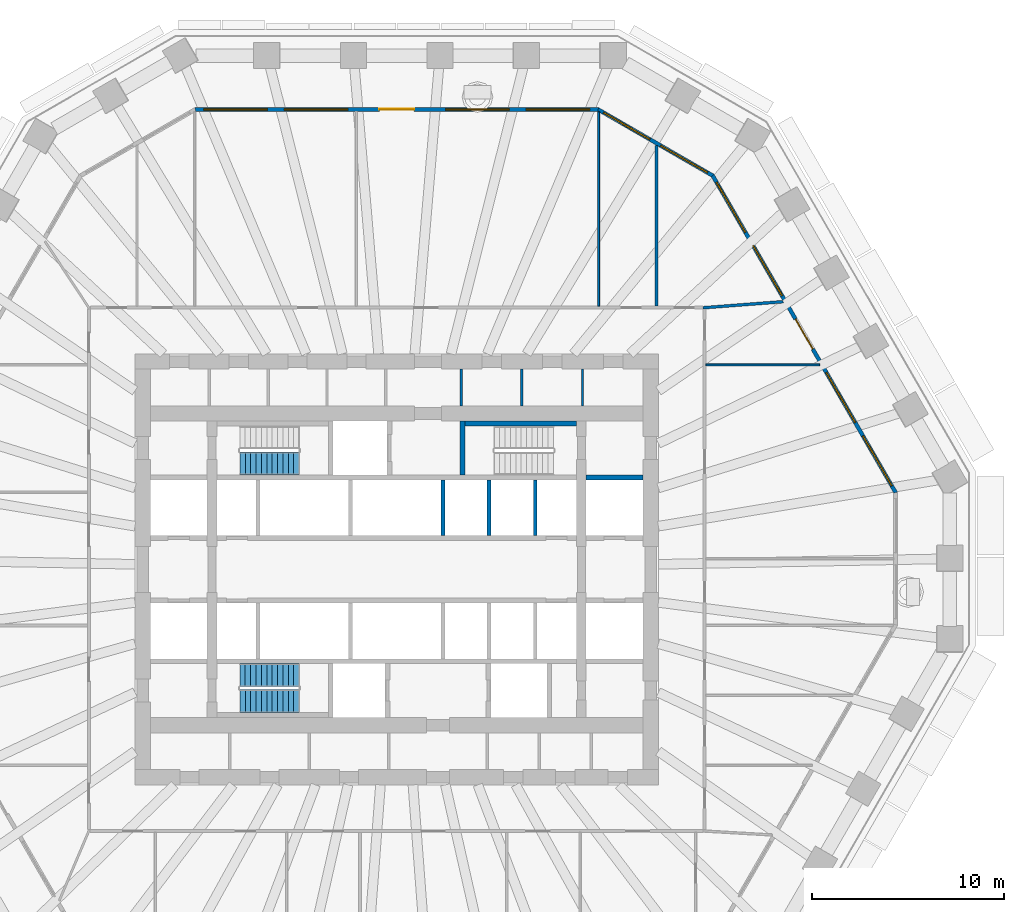
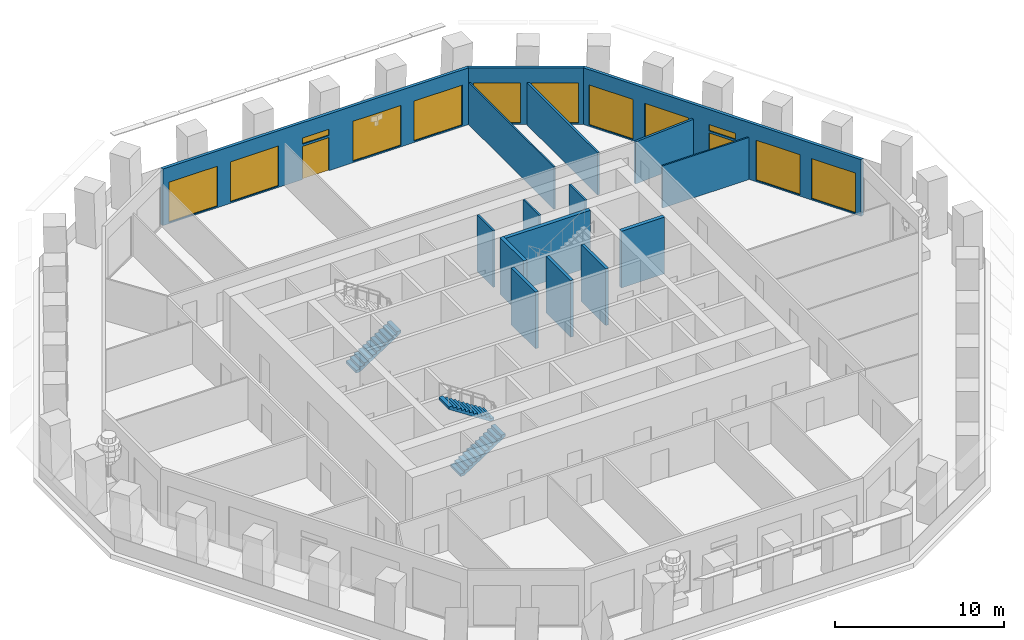
# One storey, part 8 of 13: 16 walls, 12 windows, 3 stair flights, 2 doors, 14 openings, 2 elements without a shape of their own.
"""IFC4 building model written with IfcOpenShell, lengths in metres."""

from ifc_helpers import new_model, si_unit, direction, frame, frame_2d, origin, place, context, subcontext, project, spatial, polyline, rectangle, outline, extrude, material, layer, layer_set, type_object, element, fill, aggregate, save


model = new_model("IFC4")

# Units and contexts
model_context = context("Model", 3, precision=1e-05, world=origin(), true_north=direction((0.0, 1.0)))
body_context = subcontext(model_context, "Body", "Model", "MODEL_VIEW")
ifc_project = project(units=[si_unit("LENGTHUNIT", "METRE"), si_unit("AREAUNIT", "SQUARE_METRE"), si_unit("VOLUMEUNIT", "CUBIC_METRE"), si_unit("PLANEANGLEUNIT", "RADIAN"), si_unit("MASSUNIT", "GRAM", prefix="KILO")], contexts=[model_context])

# Site, building, storey
site_placement = place(None, origin())
site = spatial("IfcSite", under=ifc_project, at=site_placement, CompositionType="ELEMENT")
building_placement = place(site_placement, origin())
building = spatial("IfcBuilding", under=site, at=building_placement, Name="Frailejon Research Tower", CompositionType="ELEMENT")
storey_placement = place(building_placement, frame((0.0, 0.0, 98.39990234375)))
storey = spatial("IfcBuildingStorey", under=building, at=storey_placement, Name="L21", CompositionType="ELEMENT", Elevation=98.39990234375)

# Walls
ifc_material_1 = material(Name="Plasterboard on steel studs", Category="steel")
ifc_layer_1 = layer(ifc_material_1, 0.125)
ifc_layer_set_1 = layer_set([ifc_layer_1], Name="Core partition 125")
wall_type_1 = type_object("IfcWallType", Name="Core partition 125", PredefinedType="PARTITIONING", material=ifc_layer_set_1)
for number, where, z_axis, x_axis, name in (
    (1, (3.362548828125, 8.5, 0.0), (0.0, 0.0, 1.0), (0.0, 1.0, 0.0), "Core partition"),
    (2, (6.50830078125, 8.5, 0.0), (0.0, 0.0, 1.0), (0.0, 1.0, 0.0), "Core partition"),
    (3, (9.654296875, 8.5, 0.0), (0.0, 0.0, 1.0), (0.0, 1.0, 0.0), "Core partition"),
):
    element("IfcWall", number, at=place(storey_placement, frame(where, z_axis=z_axis, x_axis=x_axis)), inside=storey, type_object=wall_type_1, Name=name, PredefinedType="PARTITIONING", context=body_context, shape_type="SweptSolid", body=[
        extrude(rectangle(XDim=1.89990234375, YDim=0.125, at=frame_2d((0.949951171875, 0.0))), origin(), (0.0, 0.0, 1.0), 4.10009765625),
    ])
ifc_material_2 = material(Name="Gypsum board and masonry partition", Category="masonry")
ifc_layer_2 = layer(ifc_material_2, 0.14990234375)
ifc_layer_set_2 = layer_set([ifc_layer_2], Name="Laboratory partition, blockwork 150")
wall_type_2 = type_object("IfcWallType", Name="Laboratory partition, blockwork 150", PredefinedType="PARTITIONING", material=ifc_layer_set_2)
wall_1_placement = place(storey_placement, frame((15.92529296875, 13.59423828125, 0.0), z_axis=(0.0, 0.0, 1.0), x_axis=(0.997106874754, 0.076012369506, 0.0)))
element("IfcWall", 4, at=wall_1_placement, inside=storey, type_object=wall_type_2, Name="T:IW:L21:005", PredefinedType="PARTITIONING", context=body_context, shape_type="SweptSolid", body=[
    extrude(rectangle(XDim=4.17529296875, YDim=0.14990234375, at=frame_2d((2.087646484375, 0.0))), origin(), (0.0, 0.0, 1.0), 3.050048828125),
])
wall_2_placement = place(storey_placement, frame((13.4951171875, 13.675048828125, 0.0), z_axis=(0.0, 0.0, 1.0), x_axis=(0.0, 1.0, 0.0)))
element("IfcWall", 5, at=wall_2_placement, inside=storey, type_object=wall_type_2, Name="T:IW:L21:006", PredefinedType="PARTITIONING", context=body_context, shape_type="SweptSolid", body=[
    extrude(rectangle(XDim=8.362060546875, YDim=0.14990234375, at=frame_2d((4.18115234375, 0.0))), origin(), (0.0, 0.0, 1.0), 3.050048828125),
])
ifc_material_3 = material(Name="Gypsum board and masonry partition", Category="masonry")
ifc_layer_3 = layer(ifc_material_3, 0.10009765625)
ifc_layer_set_3 = layer_set([ifc_layer_3], Name="Partition, gypsum on steel studs 100")
wall_type_3 = type_object("IfcWallType", Name="Partition, gypsum on steel studs 100", PredefinedType="PARTITIONING", material=ifc_layer_set_3)
wall_3_placement = place(storey_placement, frame((16.074951171875, 10.624755859375, 0.0), z_axis=(0.0, 0.0, 1.0), x_axis=(1.0, 0.0, 0.0)))
element("IfcWall", 6, at=wall_3_placement, inside=storey, type_object=wall_type_3, Name="T:IW:L21:012", PredefinedType="PARTITIONING", context=body_context, shape_type="SweptSolid", body=[
    extrude(rectangle(XDim=5.911376953125, YDim=0.10009765625, at=frame_2d((2.95556640625, 0.0))), origin(), (0.0, 0.0, 1.0), 3.050048828125),
])
wall_4_placement = place(storey_placement, frame((10.4951171875, 13.675048828125, 0.0), z_axis=(0.0, 0.0, 1.0), x_axis=(0.0, 1.0, 0.0)))
element("IfcWall", 7, at=wall_4_placement, inside=storey, type_object=wall_type_3, Name="T:IW:L21:014", PredefinedType="PARTITIONING", context=body_context, shape_type="SweptSolid", body=[
    extrude(rectangle(XDim=10.093994140625, YDim=0.10009765625, at=frame_2d((5.046875, 0.0))), origin(), (0.0, 0.0, 1.0), 3.050048828125),
])
ifc_material_4 = material(Name="Concrete C70/85", Category="concrete")
ifc_layer_4 = layer(ifc_material_4, 0.199951171875)
ifc_layer_set_4 = layer_set([ifc_layer_4], Name="Shaft wall 200 C70/85")
wall_type_4 = type_object("IfcWallType", Name="Shaft wall 200 C70/85", PredefinedType="SOLIDWALL", material=ifc_layer_set_4)
for number, where, z_axis, x_axis, name in (
    (8, (2.39990234375, 1.75, 0.0), (0.0, 0.0, 1.0), (0.0, 1.0, 0.0), "Shaft wall"),
    (9, (4.800048828125, 1.75, 0.0), (0.0, 0.0, 1.0), (0.0, 1.0, 0.0), "Shaft wall"),
    (10, (7.199951171875, 1.75, 0.0), (0.0, 0.0, 1.0), (0.0, 1.0, 0.0), "Shaft wall"),
):
    element("IfcWall", number, at=place(storey_placement, frame(where, z_axis=z_axis, x_axis=x_axis)), inside=storey, type_object=wall_type_4, Name=name, PredefinedType="SOLIDWALL", context=body_context, shape_type="SweptSolid", body=[
        extrude(rectangle(XDim=2.89990234375, YDim=0.199951171875, at=frame_2d((1.449951171875, 0.0))), origin(), (0.0, 0.0, 1.0), 4.10009765625),
    ])
ifc_material_5 = material(Name="Concrete C70/85", Category="concrete")
ifc_layer_5 = layer(ifc_material_5, 0.25)
ifc_layer_set_5 = layer_set([ifc_layer_5], Name="Shaft wall 250 C70/85")
wall_type_5 = type_object("IfcWallType", Name="Shaft wall 250 C70/85", PredefinedType="SOLIDWALL", material=ifc_layer_set_5)
wall_5_placement = place(storey_placement, frame((9.85009765625, 4.77490234375, 0.0), z_axis=(0.0, 0.0, 1.0), x_axis=(1.0, 0.0, 0.0)))
element("IfcWall", 11, at=wall_5_placement, inside=storey, type_object=wall_type_5, Name="Shaft wall", PredefinedType="SOLIDWALL", context=body_context, shape_type="SweptSolid", body=[
    extrude(rectangle(XDim=2.949951171875, YDim=0.25, at=frame_2d((1.47509765625, 0.0))), origin(), (0.0, 0.0, 1.0), 4.10009765625),
])
wall_6_placement = place(storey_placement, frame((3.550048828125, 7.574951171875, 0.0), z_axis=(0.0, 0.0, 1.0), x_axis=(1.0, 0.0, 0.0)))
element("IfcWall", 12, at=wall_6_placement, inside=storey, type_object=wall_type_5, Name="Shaft wall", PredefinedType="SOLIDWALL", context=body_context, shape_type="SweptSolid", body=[
    extrude(rectangle(XDim=5.800048828125, YDim=0.25, at=frame_2d((2.89990234375, 0.0))), origin(), (0.0, 0.0, 1.0), 4.10009765625),
])
wall_7_placement = place(storey_placement, frame((3.425048828125, 4.89990234375, 0.0), z_axis=(0.0, 0.0, 1.0), x_axis=(0.0, 1.0, 0.0)))
element("IfcWall", 13, at=wall_7_placement, inside=storey, type_object=wall_type_5, Name="Shaft wall", PredefinedType="SOLIDWALL", context=body_context, shape_type="SweptSolid", body=[
    extrude(rectangle(XDim=2.800048828125, YDim=0.25, at=frame_2d((1.39990234375, 0.0))), origin(), (0.0, 0.0, 1.0), 4.10009765625),
])

# Wall, openings, door, windows
ifc_material_6 = material(Name="Concrete C40/50 precast window wall panel", Category="concrete")
ifc_layer_6 = layer(ifc_material_6, 0.199951171875)
ifc_layer_set_6 = layer_set([ifc_layer_6], Name="Window wall 200")
wall_type_6 = type_object("IfcWallType", Name="Window wall 200", PredefinedType="SOLIDWALL", material=ifc_layer_set_6)
wall_8_placement = place(storey_placement, frame((25.93212890625, 3.990478515625, 0.0), z_axis=(0.0, 0.0, 1.0), x_axis=(-0.500001707189, 0.866024418136, 0.0)))
wall_8 = element("IfcWall", 14, at=wall_8_placement, inside=storey, type_object=wall_type_6, Name="Exterior wall L21", PredefinedType="SOLIDWALL", context=body_context, shape_type="SweptSolid", body=[
    extrude(outline(polyline([(-0.02685546875, -0.10009765625), (0.97705078125, -0.10009765625), (1.98095703125, -0.10009765625), (2.98486328125, -0.10009765625), (3.98876953125, -0.10009765625), (4.99267578125, -0.10009765625), (5.99658203125, -0.10009765625), (7.00048828125, -0.10009765625), (8.00439453125, -0.10009765625), (9.00830078125, -0.10009765625), (10.01220703125, -0.10009765625), (11.01611328125, -0.10009765625), (12.02001953125, -0.10009765625), (13.02392578125, -0.10009765625), (14.02783203125, -0.10009765625), (15.03173828125, -0.10009765625), (16.03564453125, -0.10009765625), (17.03955078125, -0.10009765625), (18.04345703125, -0.10009765625), (19.04736328125, -0.10009765625), (18.99365234375, 0.10009765625), (17.995361328125, 0.10009765625), (16.9970703125, 0.10009765625), (15.998779296875, 0.10009765625), (15.000732421875, 0.10009765625), (14.00244140625, 0.10009765625), (13.004150390625, 0.10009765625), (12.005859375, 0.10009765625), (11.007568359375, 0.10009765625), (10.00927734375, 0.10009765625), (9.01123046875, 0.10009765625), (8.012939453125, 0.10009765625), (7.0146484375, 0.10009765625), (6.016357421875, 0.10009765625), (5.01806640625, 0.10009765625), (4.019775390625, 0.10009765625), (3.021728515625, 0.10009765625), (2.0234375, 0.10009765625), (1.025146484375, 0.10009765625), (0.02685546875, 0.10009765625), (-0.02685546875, -0.10009765625)])), origin(), (0.0, 0.0, 1.0), 4.10009765625),
])
opening_1_placement = place(wall_8_placement, frame((0.402099609375, 0.0, 0.10009765625)))
opening_1 = element("IfcOpeningElement", 15, at=opening_1_placement, cuts=wall_8, Name="Opening W4", PredefinedType="OPENING", context=body_context, shape_type="SweptSolid", body=[
    extrude(rectangle(XDim=3.0, YDim=2.89990234375, at=frame_2d((1.5, 1.449951171875))), frame((0.0, 0.10986328125, 0.0), z_axis=(0.0, -1.0, 0.0), x_axis=(1.0, 0.0, 0.0)), (0.0, 0.0, 1.0), 0.219970703125),
])
opening_2_placement = place(wall_8_placement, frame((4.206298828125, 0.0, 0.10009765625)))
opening_2 = element("IfcOpeningElement", 16, at=opening_2_placement, cuts=wall_8, Name="Opening W4", PredefinedType="OPENING", context=body_context, shape_type="SweptSolid", body=[
    extrude(rectangle(XDim=3.0, YDim=2.89990234375, at=frame_2d((1.5, 1.449951171875))), frame((0.0, 0.10986328125, 0.0), z_axis=(0.0, -1.0, 0.0), x_axis=(1.0, 0.0, 0.0)), (0.0, 0.0, 1.0), 0.219970703125),
])
opening_3_placement = place(wall_8_placement, frame((8.6103515625, 0.0, 0.0)))
opening_3 = element("IfcOpeningElement", 17, at=opening_3_placement, cuts=wall_8, Name="Opening LG21-1", PredefinedType="OPENING", context=body_context, shape_type="SweptSolid", body=[
    extrude(rectangle(XDim=1.800048828125, YDim=2.39990234375, at=frame_2d((0.89990234375, 1.199951171875))), frame((0.0, 0.10986328125, 0.0), z_axis=(0.0, -1.0, 0.0), x_axis=(1.0, 0.0, 0.0)), (0.0, 0.0, 1.0), 0.219970703125),
])
opening_4_placement = place(wall_8_placement, frame((8.6103515625, 0.0, 2.550048828125)))
opening_4 = element("IfcOpeningElement", 18, at=opening_4_placement, cuts=wall_8, Name="Opening W1", PredefinedType="OPENING", context=body_context, shape_type="SweptSolid", body=[
    extrude(rectangle(XDim=1.800048828125, YDim=0.449951171875, at=frame_2d((0.89990234375, 0.22509765625))), frame((0.0, 0.10986328125, 0.0), z_axis=(0.0, -1.0, 0.0), x_axis=(1.0, 0.0, 0.0)), (0.0, 0.0, 1.0), 0.219970703125),
])
opening_5_placement = place(wall_8_placement, frame((11.814453125, 0.0, 0.10009765625)))
opening_5 = element("IfcOpeningElement", 19, at=opening_5_placement, cuts=wall_8, Name="Opening W4", PredefinedType="OPENING", context=body_context, shape_type="SweptSolid", body=[
    extrude(rectangle(XDim=3.0, YDim=2.89990234375, at=frame_2d((1.5, 1.449951171875))), frame((0.0, 0.10986328125, 0.0), z_axis=(0.0, -1.0, 0.0), x_axis=(1.0, 0.0, 0.0)), (0.0, 0.0, 1.0), 0.219970703125),
])
opening_6_placement = place(wall_8_placement, frame((15.618408203125, 0.0, 0.10009765625)))
opening_6 = element("IfcOpeningElement", 20, at=opening_6_placement, cuts=wall_8, Name="Opening W4", PredefinedType="OPENING", context=body_context, shape_type="SweptSolid", body=[
    extrude(rectangle(XDim=3.0, YDim=2.89990234375, at=frame_2d((1.5, 1.449951171875))), frame((0.0, 0.10986328125, 0.0), z_axis=(0.0, -1.0, 0.0), x_axis=(1.0, 0.0, 0.0)), (0.0, 0.0, 1.0), 0.219970703125),
])
ifc_material_7 = material(Name="Aluminium framed glazed door leaf", Category="aluminium")
door_type = type_object("IfcDoorType", Name="Loggia door 1800x2400", OperationType="DOUBLE_DOOR_SINGLE_SWING", PredefinedType="DOOR", material=ifc_material_7)
door_1_placement = place(opening_3_placement, origin())
door_1 = element("IfcDoor", 21, at=door_1_placement, inside=storey, type_object=door_type, Name="Door LG21-1", OperationType="DOUBLE_DOOR_SINGLE_SWING", OverallHeight=2.39990234375, OverallWidth=1.800048828125, PredefinedType="DOOR", context=body_context, shape_type="SweptSolid", body=[
    extrude(rectangle(XDim=1.800048828125, YDim=2.39990234375, at=frame_2d((0.89990234375, 1.199951171875))), frame((0.0, 0.02490234375, 0.0), z_axis=(0.0, -1.0, 0.0), x_axis=(1.0, 0.0, 0.0)), (0.0, 0.0, 1.0), 0.050048828125),
])
fill(opening_3, door_1)
ifc_material_8 = material(Name="Aluminium framed double glazing", Category="aluminium")
window_type_1 = type_object("IfcWindowType", Name="Window 1800x450", PartitioningType="SINGLE_PANEL", PredefinedType="WINDOW", material=ifc_material_8)
window_1_placement = place(opening_4_placement, origin())
window_1 = element("IfcWindow", 22, at=window_1_placement, inside=storey, type_object=window_type_1, Name="Window L21", OverallHeight=0.449951171875, OverallWidth=1.800048828125, PartitioningType="SINGLE_PANEL", PredefinedType="WINDOW", context=body_context, shape_type="SweptSolid", body=[
    extrude(rectangle(XDim=1.800048828125, YDim=0.449951171875, at=frame_2d((0.89990234375, 0.22509765625))), frame((0.0, 0.030029296875, 0.0), z_axis=(0.0, -1.0, 0.0), x_axis=(1.0, 0.0, 0.0)), (0.0, 0.0, 1.0), 0.06005859375),
])
fill(opening_4, window_1)
ifc_material_9 = material(Name="Aluminium framed double glazing", Category="aluminium")
window_type_2 = type_object("IfcWindowType", Name="Window 3000x2900", PartitioningType="SINGLE_PANEL", PredefinedType="WINDOW", material=ifc_material_9)
window_2_placement = place(opening_1_placement, origin())
window_2 = element("IfcWindow", 23, at=window_2_placement, inside=storey, type_object=window_type_2, Name="Window L21", OverallHeight=2.89990234375, OverallWidth=3.0, PartitioningType="SINGLE_PANEL", PredefinedType="WINDOW", context=body_context, shape_type="SweptSolid", body=[
    extrude(rectangle(XDim=3.0, YDim=2.89990234375, at=frame_2d((1.5, 1.449951171875))), frame((0.0, 0.030029296875, 0.0), z_axis=(0.0, -1.0, 0.0), x_axis=(1.0, 0.0, 0.0)), (0.0, 0.0, 1.0), 0.06005859375),
])
fill(opening_1, window_2)
window_3_placement = place(opening_2_placement, origin())
window_3 = element("IfcWindow", 24, at=window_3_placement, inside=storey, type_object=window_type_2, Name="Window L21", OverallHeight=2.89990234375, OverallWidth=3.0, PartitioningType="SINGLE_PANEL", PredefinedType="WINDOW", context=body_context, shape_type="SweptSolid", body=[
    extrude(rectangle(XDim=3.0, YDim=2.89990234375, at=frame_2d((1.5, 1.449951171875))), frame((0.0, 0.030029296875, 0.0), z_axis=(0.0, -1.0, 0.0), x_axis=(1.0, 0.0, 0.0)), (0.0, 0.0, 1.0), 0.06005859375),
])
fill(opening_2, window_3)
window_4_placement = place(opening_5_placement, origin())
window_4 = element("IfcWindow", 25, at=window_4_placement, inside=storey, type_object=window_type_2, Name="Window L21", OverallHeight=2.89990234375, OverallWidth=3.0, PartitioningType="SINGLE_PANEL", PredefinedType="WINDOW", context=body_context, shape_type="SweptSolid", body=[
    extrude(rectangle(XDim=3.0, YDim=2.89990234375, at=frame_2d((1.5, 1.449951171875))), frame((0.0, 0.030029296875, 0.0), z_axis=(0.0, -1.0, 0.0), x_axis=(1.0, 0.0, 0.0)), (0.0, 0.0, 1.0), 0.06005859375),
])
fill(opening_5, window_4)
window_5_placement = place(opening_6_placement, origin())
window_5 = element("IfcWindow", 26, at=window_5_placement, inside=storey, type_object=window_type_2, Name="Window L21", OverallHeight=2.89990234375, OverallWidth=3.0, PartitioningType="SINGLE_PANEL", PredefinedType="WINDOW", context=body_context, shape_type="SweptSolid", body=[
    extrude(rectangle(XDim=3.0, YDim=2.89990234375, at=frame_2d((1.5, 1.449951171875))), frame((0.0, 0.030029296875, 0.0), z_axis=(0.0, -1.0, 0.0), x_axis=(1.0, 0.0, 0.0)), (0.0, 0.0, 1.0), 0.06005859375),
])
fill(opening_6, window_5)

# Wall, openings, windows
wall_9_placement = place(storey_placement, frame((16.421875, 20.462646484375, 0.0), z_axis=(0.0, 0.0, 1.0), x_axis=(-0.866029458321, 0.49999297727, 0.0)))
wall_9 = element("IfcWall", 27, at=wall_9_placement, inside=storey, type_object=wall_type_6, Name="Exterior wall L21", PredefinedType="SOLIDWALL", context=body_context, shape_type="SweptSolid", body=[
    extrude(outline(polyline([(-0.02685546875, -0.10009765625), (1.1279296875, -0.10009765625), (2.282470703125, -0.10009765625), (3.437255859375, -0.10009765625), (4.592041015625, -0.10009765625), (5.74658203125, -0.10009765625), (6.9013671875, -0.10009765625), (6.84765625, 0.10009765625), (5.7109375, 0.10009765625), (4.573974609375, 0.10009765625), (3.437255859375, 0.10009765625), (2.300537109375, 0.10009765625), (1.16357421875, 0.10009765625), (0.02685546875, 0.10009765625), (-0.02685546875, -0.10009765625)])), origin(), (0.0, 0.0, 1.0), 4.10009765625),
])
opening_7_placement = place(wall_9_placement, frame((0.318603515625, 0.0, 0.10009765625)))
opening_7 = element("IfcOpeningElement", 28, at=opening_7_placement, cuts=wall_9, Name="Opening W3", PredefinedType="OPENING", context=body_context, shape_type="SweptSolid", body=[
    extrude(rectangle(XDim=2.800048828125, YDim=2.89990234375, at=frame_2d((1.39990234375, 1.449951171875))), frame((0.0, 0.10986328125, 0.0), z_axis=(0.0, -1.0, 0.0), x_axis=(1.0, 0.0, 0.0)), (0.0, 0.0, 1.0), 0.219970703125),
])
opening_8_placement = place(wall_9_placement, frame((3.756103515625, 0.0, 0.10009765625)))
opening_8 = element("IfcOpeningElement", 29, at=opening_8_placement, cuts=wall_9, Name="Opening W3", PredefinedType="OPENING", context=body_context, shape_type="SweptSolid", body=[
    extrude(rectangle(XDim=2.800048828125, YDim=2.89990234375, at=frame_2d((1.39990234375, 1.449951171875))), frame((0.0, 0.10986328125, 0.0), z_axis=(0.0, -1.0, 0.0), x_axis=(1.0, 0.0, 0.0)), (0.0, 0.0, 1.0), 0.219970703125),
])
ifc_material_10 = material(Name="Aluminium framed double glazing", Category="aluminium")
window_type_3 = type_object("IfcWindowType", Name="Window 2800x2900", PartitioningType="SINGLE_PANEL", PredefinedType="WINDOW", material=ifc_material_10)
window_6_placement = place(opening_7_placement, origin())
window_6 = element("IfcWindow", 30, at=window_6_placement, inside=storey, type_object=window_type_3, Name="Window L21", OverallHeight=2.89990234375, OverallWidth=2.800048828125, PartitioningType="SINGLE_PANEL", PredefinedType="WINDOW", context=body_context, shape_type="SweptSolid", body=[
    extrude(rectangle(XDim=2.800048828125, YDim=2.89990234375, at=frame_2d((1.39990234375, 1.449951171875))), frame((0.0, 0.030029296875, 0.0), z_axis=(0.0, -1.0, 0.0), x_axis=(1.0, 0.0, 0.0)), (0.0, 0.0, 1.0), 0.06005859375),
])
fill(opening_7, window_6)
window_7_placement = place(opening_8_placement, origin())
window_7 = element("IfcWindow", 31, at=window_7_placement, inside=storey, type_object=window_type_3, Name="Window L21", OverallHeight=2.89990234375, OverallWidth=2.800048828125, PartitioningType="SINGLE_PANEL", PredefinedType="WINDOW", context=body_context, shape_type="SweptSolid", body=[
    extrude(rectangle(XDim=2.800048828125, YDim=2.89990234375, at=frame_2d((1.39990234375, 1.449951171875))), frame((0.0, 0.030029296875, 0.0), z_axis=(0.0, -1.0, 0.0), x_axis=(1.0, 0.0, 0.0)), (0.0, 0.0, 1.0), 0.06005859375),
])
fill(opening_8, window_7)

# Wall, openings, door, windows
wall_10_placement = place(storey_placement, frame((10.46826171875, 23.89990234375, 0.0), z_axis=(0.0, 0.0, 1.0), x_axis=(-1.0, 0.0, 0.0)))
wall_10 = element("IfcWall", 32, at=wall_10_placement, inside=storey, type_object=wall_type_6, Name="Exterior wall L21", PredefinedType="SOLIDWALL", context=body_context, shape_type="SweptSolid", body=[
    extrude(outline(polyline([(-0.02685546875, -0.10009765625), (1.022705078125, -0.10009765625), (2.072265625, -0.10009765625), (3.12158203125, -0.10009765625), (4.171142578125, -0.10009765625), (5.220703125, -0.10009765625), (6.270263671875, -0.10009765625), (7.31982421875, -0.10009765625), (8.369140625, -0.10009765625), (9.418701171875, -0.10009765625), (10.46826171875, -0.10009765625), (11.517822265625, -0.10009765625), (12.5673828125, -0.10009765625), (13.61669921875, -0.10009765625), (14.666259765625, -0.10009765625), (15.7158203125, -0.10009765625), (16.765380859375, -0.10009765625), (17.81494140625, -0.10009765625), (18.8642578125, -0.10009765625), (19.913818359375, -0.10009765625), (20.96337890625, -0.10009765625), (20.90966796875, 0.10009765625), (19.865478515625, 0.10009765625), (18.8212890625, 0.10009765625), (17.77734375, 0.10009765625), (16.733154296875, 0.10009765625), (15.68896484375, 0.10009765625), (14.644775390625, 0.10009765625), (13.6005859375, 0.10009765625), (12.556640625, 0.10009765625), (11.512451171875, 0.10009765625), (10.46826171875, 0.10009765625), (9.424072265625, 0.10009765625), (8.3798828125, 0.10009765625), (7.3359375, 0.10009765625), (6.291748046875, 0.10009765625), (5.24755859375, 0.10009765625), (4.203369140625, 0.10009765625), (3.1591796875, 0.10009765625), (2.115234375, 0.10009765625), (1.071044921875, 0.10009765625), (0.02685546875, 0.10009765625), (-0.02685546875, -0.10009765625)])), origin(), (0.0, 0.0, 1.0), 4.10009765625),
])
opening_9_placement = place(wall_10_placement, frame((0.443603515625, 0.0, 0.10009765625)))
opening_9 = element("IfcOpeningElement", 33, at=opening_9_placement, cuts=wall_10, Name="Opening W5", PredefinedType="OPENING", context=body_context, shape_type="SweptSolid", body=[
    extrude(rectangle(XDim=3.300048828125, YDim=2.89990234375, at=frame_2d((1.64990234375, 1.449951171875))), frame((0.0, 0.10986328125, 0.0), z_axis=(0.0, -1.0, 0.0), x_axis=(1.0, 0.0, 0.0)), (0.0, 0.0, 1.0), 0.219970703125),
])
opening_10_placement = place(wall_10_placement, frame((4.631103515625, 0.0, 0.10009765625)))
opening_10 = element("IfcOpeningElement", 34, at=opening_10_placement, cuts=wall_10, Name="Opening W5", PredefinedType="OPENING", context=body_context, shape_type="SweptSolid", body=[
    extrude(rectangle(XDim=3.300048828125, YDim=2.89990234375, at=frame_2d((1.64990234375, 1.449951171875))), frame((0.0, 0.10986328125, 0.0), z_axis=(0.0, -1.0, 0.0), x_axis=(1.0, 0.0, 0.0)), (0.0, 0.0, 1.0), 0.219970703125),
])
opening_11_placement = place(wall_10_placement, frame((9.568359375, 0.0, 0.0)))
opening_11 = element("IfcOpeningElement", 35, at=opening_11_placement, cuts=wall_10, Name="Opening LG21-2", PredefinedType="OPENING", context=body_context, shape_type="SweptSolid", body=[
    extrude(rectangle(XDim=1.800048828125, YDim=2.39990234375, at=frame_2d((0.89990234375, 1.199951171875))), frame((0.0, 0.10986328125, 0.0), z_axis=(0.0, -1.0, 0.0), x_axis=(1.0, 0.0, 0.0)), (0.0, 0.0, 1.0), 0.219970703125),
])
opening_12_placement = place(wall_10_placement, frame((9.568359375, 0.0, 2.550048828125)))
opening_12 = element("IfcOpeningElement", 36, at=opening_12_placement, cuts=wall_10, Name="Opening W1", PredefinedType="OPENING", context=body_context, shape_type="SweptSolid", body=[
    extrude(rectangle(XDim=1.800048828125, YDim=0.449951171875, at=frame_2d((0.89990234375, 0.22509765625))), frame((0.0, 0.10986328125, 0.0), z_axis=(0.0, -1.0, 0.0), x_axis=(1.0, 0.0, 0.0)), (0.0, 0.0, 1.0), 0.219970703125),
])
opening_13_placement = place(wall_10_placement, frame((13.005615234375, 0.0, 0.10009765625)))
opening_13 = element("IfcOpeningElement", 37, at=opening_13_placement, cuts=wall_10, Name="Opening W5", PredefinedType="OPENING", context=body_context, shape_type="SweptSolid", body=[
    extrude(rectangle(XDim=3.300048828125, YDim=2.89990234375, at=frame_2d((1.64990234375, 1.449951171875))), frame((0.0, 0.10986328125, 0.0), z_axis=(0.0, -1.0, 0.0), x_axis=(1.0, 0.0, 0.0)), (0.0, 0.0, 1.0), 0.219970703125),
])
opening_14_placement = place(wall_10_placement, frame((17.19287109375, 0.0, 0.10009765625)))
opening_14 = element("IfcOpeningElement", 38, at=opening_14_placement, cuts=wall_10, Name="Opening W5", PredefinedType="OPENING", context=body_context, shape_type="SweptSolid", body=[
    extrude(rectangle(XDim=3.300048828125, YDim=2.89990234375, at=frame_2d((1.64990234375, 1.449951171875))), frame((0.0, 0.10986328125, 0.0), z_axis=(0.0, -1.0, 0.0), x_axis=(1.0, 0.0, 0.0)), (0.0, 0.0, 1.0), 0.219970703125),
])
door_2_placement = place(opening_11_placement, origin())
door_2 = element("IfcDoor", 39, at=door_2_placement, inside=storey, type_object=door_type, Name="Door LG21-2", OperationType="DOUBLE_DOOR_SINGLE_SWING", OverallHeight=2.39990234375, OverallWidth=1.800048828125, PredefinedType="DOOR", context=body_context, shape_type="SweptSolid", body=[
    extrude(rectangle(XDim=1.800048828125, YDim=2.39990234375, at=frame_2d((0.89990234375, 1.199951171875))), frame((0.0, 0.02490234375, 0.0), z_axis=(0.0, -1.0, 0.0), x_axis=(1.0, 0.0, 0.0)), (0.0, 0.0, 1.0), 0.050048828125),
])
fill(opening_11, door_2)
window_8_placement = place(opening_12_placement, origin())
window_8 = element("IfcWindow", 40, at=window_8_placement, inside=storey, type_object=window_type_1, Name="Window L21", OverallHeight=0.449951171875, OverallWidth=1.800048828125, PartitioningType="SINGLE_PANEL", PredefinedType="WINDOW", context=body_context, shape_type="SweptSolid", body=[
    extrude(rectangle(XDim=1.800048828125, YDim=0.449951171875, at=frame_2d((0.89990234375, 0.22509765625))), frame((0.0, 0.030029296875, 0.0), z_axis=(0.0, -1.0, 0.0), x_axis=(1.0, 0.0, 0.0)), (0.0, 0.0, 1.0), 0.06005859375),
])
fill(opening_12, window_8)
ifc_material_11 = material(Name="Aluminium framed double glazing", Category="aluminium")
window_type_4 = type_object("IfcWindowType", Name="Window 3300x2900", PartitioningType="SINGLE_PANEL", PredefinedType="WINDOW", material=ifc_material_11)
window_9_placement = place(opening_9_placement, origin())
window_9 = element("IfcWindow", 41, at=window_9_placement, inside=storey, type_object=window_type_4, Name="Window L21", OverallHeight=2.89990234375, OverallWidth=3.300048828125, PartitioningType="SINGLE_PANEL", PredefinedType="WINDOW", context=body_context, shape_type="SweptSolid", body=[
    extrude(rectangle(XDim=3.300048828125, YDim=2.89990234375, at=frame_2d((1.64990234375, 1.449951171875))), frame((0.0, 0.030029296875, 0.0), z_axis=(0.0, -1.0, 0.0), x_axis=(1.0, 0.0, 0.0)), (0.0, 0.0, 1.0), 0.06005859375),
])
fill(opening_9, window_9)
window_10_placement = place(opening_10_placement, origin())
window_10 = element("IfcWindow", 42, at=window_10_placement, inside=storey, type_object=window_type_4, Name="Window L21", OverallHeight=2.89990234375, OverallWidth=3.300048828125, PartitioningType="SINGLE_PANEL", PredefinedType="WINDOW", context=body_context, shape_type="SweptSolid", body=[
    extrude(rectangle(XDim=3.300048828125, YDim=2.89990234375, at=frame_2d((1.64990234375, 1.449951171875))), frame((0.0, 0.030029296875, 0.0), z_axis=(0.0, -1.0, 0.0), x_axis=(1.0, 0.0, 0.0)), (0.0, 0.0, 1.0), 0.06005859375),
])
fill(opening_10, window_10)
window_11_placement = place(opening_13_placement, origin())
window_11 = element("IfcWindow", 43, at=window_11_placement, inside=storey, type_object=window_type_4, Name="Window L21", OverallHeight=2.89990234375, OverallWidth=3.300048828125, PartitioningType="SINGLE_PANEL", PredefinedType="WINDOW", context=body_context, shape_type="SweptSolid", body=[
    extrude(rectangle(XDim=3.300048828125, YDim=2.89990234375, at=frame_2d((1.64990234375, 1.449951171875))), frame((0.0, 0.030029296875, 0.0), z_axis=(0.0, -1.0, 0.0), x_axis=(1.0, 0.0, 0.0)), (0.0, 0.0, 1.0), 0.06005859375),
])
fill(opening_13, window_11)
window_12_placement = place(opening_14_placement, origin())
window_12 = element("IfcWindow", 44, at=window_12_placement, inside=storey, type_object=window_type_4, Name="Window L21", OverallHeight=2.89990234375, OverallWidth=3.300048828125, PartitioningType="SINGLE_PANEL", PredefinedType="WINDOW", context=body_context, shape_type="SweptSolid", body=[
    extrude(rectangle(XDim=3.300048828125, YDim=2.89990234375, at=frame_2d((1.64990234375, 1.449951171875))), frame((0.0, 0.030029296875, 0.0), z_axis=(0.0, -1.0, 0.0), x_axis=(1.0, 0.0, 0.0)), (0.0, 0.0, 1.0), 0.06005859375),
])
fill(opening_14, window_12)

# Stair, stair flight
ifc_material_12 = material(Name="Concrete C50/60", Category="concrete")
stair_type = type_object("IfcStairType", Name="Exit stair 24 risers", PredefinedType="HALF_TURN_STAIR", material=ifc_material_12)
stair_1_placement = place(storey_placement, origin())
stair_1 = element("IfcStair", 45, at=stair_1_placement, inside=storey, type_object=stair_type, Name="L21 Exit stair ST1", PredefinedType="HALF_TURN_STAIR")
ifc_material_13 = material(Name="Concrete C50/60", Category="concrete")
ifc_layer_7 = layer(ifc_material_13, 0.14990234375)
ifc_layer_set_7 = layer_set([ifc_layer_7], Name="Stair flight 12 risers")
stair_flight_type = type_object("IfcStairFlightType", Name="Stair flight 12 risers", PredefinedType="STRAIGHT", material=ifc_layer_set_7)
stair_flight_1_placement = place(storey_placement, frame((-8.14990234375, 5.5, 0.0), z_axis=(0.0, 0.0, 1.0), x_axis=(1.0, 0.0, 0.0)))
stair_flight_1 = element("IfcStairFlight", 46, at=stair_flight_1_placement, type_object=stair_flight_type, Name="ST1 flight 1", NumberOfRisers=12, NumberOfTreads=11, PredefinedType="STRAIGHT", RiserHeight=0.183333333, TreadLength=0.28, context=body_context, shape_type="SweptSolid", body=[
    extrude(outline(polyline([(0.0, 0.0), (0.0, 0.183349609375), (0.280029296875, 0.183349609375), (0.280029296875, 0.36669921875), (0.56005859375, 0.36669921875), (0.56005859375, 0.550048828125), (0.840087890625, 0.550048828125), (0.840087890625, 0.7333984375), (1.1201171875, 0.7333984375), (1.1201171875, 0.916748046875), (1.39990234375, 0.916748046875), (1.39990234375, 1.10009765625), (1.679931640625, 1.10009765625), (1.679931640625, 1.283447265625), (1.9599609375, 1.283447265625), (1.9599609375, 1.466552734375), (2.239990234375, 1.466552734375), (2.239990234375, 1.64990234375), (2.52001953125, 1.64990234375), (2.52001953125, 1.833251953125), (2.800048828125, 1.833251953125), (2.800048828125, 2.0166015625), (3.080078125, 2.0166015625), (3.080078125, 2.199951171875), (3.080078125, 1.83740234375), (0.273681640625, 0.0), (0.0, 0.0)])), frame((0.0, 0.60009765625, 0.0), z_axis=(0.0, -1.0, 0.0), x_axis=(1.0, 0.0, 0.0)), (0.0, 0.0, 1.0), 1.199951171875),
])
aggregate(stair_1, [stair_flight_1])

# Stair, stair flights
stair_2_placement = place(storey_placement, origin())
stair_2 = element("IfcStair", 47, at=stair_2_placement, inside=storey, type_object=stair_type, Name="L21 Exit stair ST2", PredefinedType="HALF_TURN_STAIR")
stair_flight_2_placement = place(storey_placement, frame((-8.14990234375, -6.85009765625, 0.0), z_axis=(0.0, 0.0, 1.0), x_axis=(1.0, 0.0, 0.0)))
stair_flight_2 = element("IfcStairFlight", 48, at=stair_flight_2_placement, type_object=stair_flight_type, Name="ST2 flight 1", NumberOfRisers=12, NumberOfTreads=11, PredefinedType="STRAIGHT", RiserHeight=0.183333333, TreadLength=0.28, context=body_context, shape_type="SweptSolid", body=[
    extrude(outline(polyline([(0.0, 0.0), (0.0, 0.183349609375), (0.280029296875, 0.183349609375), (0.280029296875, 0.36669921875), (0.56005859375, 0.36669921875), (0.56005859375, 0.550048828125), (0.840087890625, 0.550048828125), (0.840087890625, 0.7333984375), (1.1201171875, 0.7333984375), (1.1201171875, 0.916748046875), (1.39990234375, 0.916748046875), (1.39990234375, 1.10009765625), (1.679931640625, 1.10009765625), (1.679931640625, 1.283447265625), (1.9599609375, 1.283447265625), (1.9599609375, 1.466552734375), (2.239990234375, 1.466552734375), (2.239990234375, 1.64990234375), (2.52001953125, 1.64990234375), (2.52001953125, 1.833251953125), (2.800048828125, 1.833251953125), (2.800048828125, 2.0166015625), (3.080078125, 2.0166015625), (3.080078125, 2.199951171875), (3.080078125, 1.83740234375), (0.273681640625, 0.0), (0.0, 0.0)])), frame((0.0, 0.60009765625, 0.0), z_axis=(0.0, -1.0, 0.0), x_axis=(1.0, 0.0, 0.0)), (0.0, 0.0, 1.0), 1.199951171875),
])
stair_flight_3_placement = place(storey_placement, frame((-5.070068359375, -5.5, 2.2001953125), z_axis=(0.0, 0.0, 1.0), x_axis=(-1.0, 0.0, 0.0)))
stair_flight_3 = element("IfcStairFlight", 49, at=stair_flight_3_placement, type_object=stair_flight_type, Name="ST2 flight 2", NumberOfRisers=12, NumberOfTreads=11, PredefinedType="STRAIGHT", RiserHeight=0.183333333, TreadLength=0.28, context=body_context, shape_type="SweptSolid", body=[
    extrude(outline(polyline([(0.0, 0.0), (0.0, 0.183349609375), (0.280029296875, 0.183349609375), (0.280029296875, 0.36669921875), (0.56005859375, 0.36669921875), (0.56005859375, 0.550048828125), (0.840087890625, 0.550048828125), (0.840087890625, 0.7333984375), (1.1201171875, 0.7333984375), (1.1201171875, 0.916748046875), (1.39990234375, 0.916748046875), (1.39990234375, 1.10009765625), (1.679931640625, 1.10009765625), (1.679931640625, 1.283447265625), (1.9599609375, 1.283447265625), (1.9599609375, 1.466552734375), (2.239990234375, 1.466552734375), (2.239990234375, 1.64990234375), (2.52001953125, 1.64990234375), (2.52001953125, 1.833251953125), (2.800048828125, 1.833251953125), (2.800048828125, 2.0166015625), (3.080078125, 2.0166015625), (3.080078125, 2.199951171875), (3.080078125, 1.83740234375), (0.273681640625, 0.0), (0.0, 0.0)])), frame((0.0, 0.60009765625, 0.0), z_axis=(0.0, -1.0, 0.0), x_axis=(1.0, 0.0, 0.0)), (0.0, 0.0, 1.0), 1.199951171875),
])
aggregate(stair_2, [stair_flight_2, stair_flight_3])

save(model, "model.ifc")
